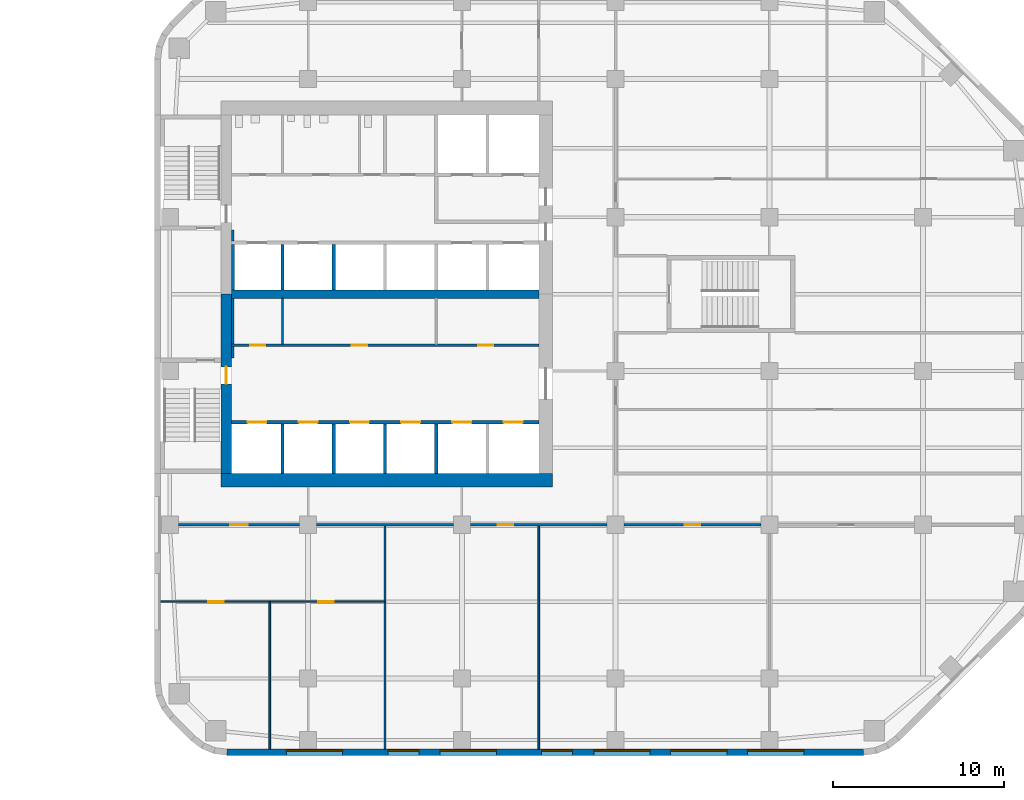
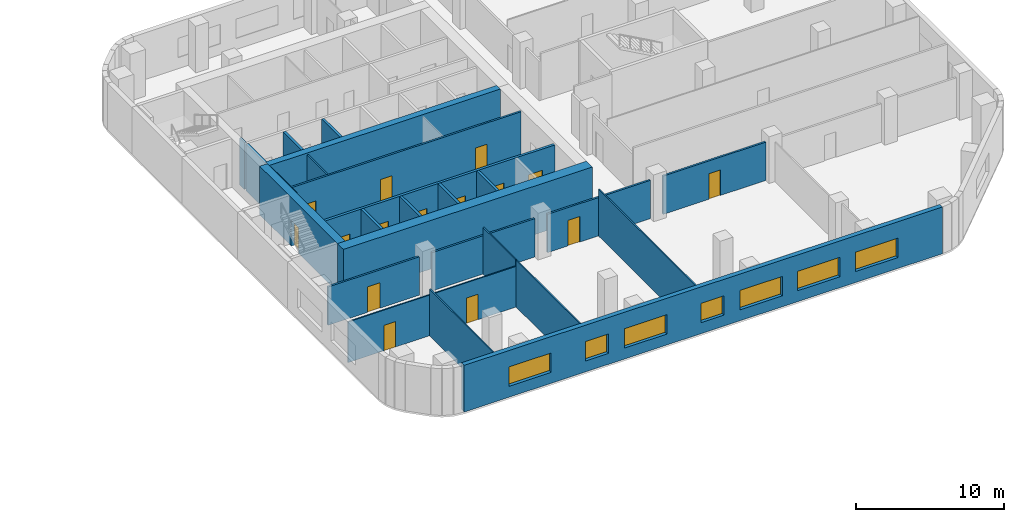
# One storey, part 8 of 14: 26 walls, 15 doors, 7 windows, 22 openings.
"""IFC4 building model written with IfcOpenShell, lengths in metres."""

from ifc_helpers import new_model, si_unit, direction, frame, frame_2d, origin, place, context, subcontext, project, spatial, rectangle, extrude, material, layer, layer_set, type_object, element, fill, save


model = new_model("IFC4")

# Units and contexts
model_context = context("Model", 3, precision=1e-05, world=origin(), true_north=direction((0.0, 1.0)))
body_context = subcontext(model_context, "Body", "Model", "MODEL_VIEW")
ifc_project = project(units=[si_unit("LENGTHUNIT", "METRE"), si_unit("AREAUNIT", "SQUARE_METRE"), si_unit("VOLUMEUNIT", "CUBIC_METRE"), si_unit("PLANEANGLEUNIT", "RADIAN"), si_unit("MASSUNIT", "GRAM", prefix="KILO")], contexts=[model_context])

# Site, building, storey
site_placement = place(None, origin())
site = spatial("IfcSite", under=ifc_project, at=site_placement, CompositionType="ELEMENT")
building_placement = place(site_placement, origin())
building = spatial("IfcBuilding", under=site, at=building_placement, Name="Cinnabar Reach Civic Tower", CompositionType="ELEMENT")
storey_placement = place(building_placement, frame((0.0, 0.0, 124.0)))
storey = spatial("IfcBuildingStorey", under=building, at=storey_placement, Name="L29", CompositionType="ELEMENT", Elevation=124.0)

# Wall, openings, windows
ifc_material_1 = material(Name="Facing brick with insulated backing", Category="masonry")
ifc_layer_1 = layer(ifc_material_1, 0.36)
ifc_layer_set_1 = layer_set([ifc_layer_1], Name="Brick pier and spandrel wall")
wall_type_1 = type_object("IfcWallType", Name="Brick pier and spandrel wall", PredefinedType="STANDARD", material=ifc_layer_set_1)
wall_1_placement = place(storey_placement, frame((4.2426, 4.68, 0.0), z_axis=(0.0, 0.0, 1.0), x_axis=(1.0, 0.0, 0.0)))
wall_1 = element("IfcWall", 1, at=wall_1_placement, inside=storey, type_object=wall_type_1, Name="Brick facade wall", PredefinedType="STANDARD", context=body_context, shape_type="SweptSolid", body=[
    extrude(rectangle(XDim=37.2648, YDim=0.36, at=frame_2d((18.6324, 0.0))), origin(), (0.0, 0.0, 1.0), 3.85),
])
opening_1_placement = place(wall_1_placement, frame((3.4824, 0.0, 0.9)))
opening_1 = element("IfcOpeningElement", 2, at=opening_1_placement, cuts=wall_1, Name="Opening W1611", PredefinedType="OPENING", context=body_context, shape_type="SweptSolid", body=[
    extrude(rectangle(XDim=3.3, YDim=1.6, at=frame_2d((1.65, 0.8))), frame((0.0, 0.19, 0.0), z_axis=(0.0, -1.0, 0.0), x_axis=(1.0, 0.0, 0.0)), (0.0, 0.0, 1.0), 0.38),
])
opening_2_placement = place(wall_1_placement, frame((9.4324, 0.0, 0.9)))
opening_2 = element("IfcOpeningElement", 3, at=opening_2_placement, cuts=wall_1, Name="Opening W1612", PredefinedType="OPENING", context=body_context, shape_type="SweptSolid", body=[
    extrude(rectangle(XDim=1.8, YDim=1.6, at=frame_2d((0.9, 0.8))), frame((0.0, 0.19, 0.0), z_axis=(0.0, -1.0, 0.0), x_axis=(1.0, 0.0, 0.0)), (0.0, 0.0, 1.0), 0.38),
])
opening_3_placement = place(wall_1_placement, frame((12.4824, 0.0, 0.9)))
opening_3 = element("IfcOpeningElement", 4, at=opening_3_placement, cuts=wall_1, Name="Opening W1613", PredefinedType="OPENING", context=body_context, shape_type="SweptSolid", body=[
    extrude(rectangle(XDim=3.3, YDim=1.6, at=frame_2d((1.65, 0.8))), frame((0.0, 0.19, 0.0), z_axis=(0.0, -1.0, 0.0), x_axis=(1.0, 0.0, 0.0)), (0.0, 0.0, 1.0), 0.38),
])
opening_4_placement = place(wall_1_placement, frame((18.4324, 0.0, 0.9)))
opening_4 = element("IfcOpeningElement", 5, at=opening_4_placement, cuts=wall_1, Name="Opening W1614", PredefinedType="OPENING", context=body_context, shape_type="SweptSolid", body=[
    extrude(rectangle(XDim=1.8, YDim=1.6, at=frame_2d((0.9, 0.8))), frame((0.0, 0.19, 0.0), z_axis=(0.0, -1.0, 0.0), x_axis=(1.0, 0.0, 0.0)), (0.0, 0.0, 1.0), 0.38),
])
opening_5_placement = place(wall_1_placement, frame((21.4824, 0.0, 0.9)))
opening_5 = element("IfcOpeningElement", 6, at=opening_5_placement, cuts=wall_1, Name="Opening W1615", PredefinedType="OPENING", context=body_context, shape_type="SweptSolid", body=[
    extrude(rectangle(XDim=3.3, YDim=1.6, at=frame_2d((1.65, 0.8))), frame((0.0, 0.19, 0.0), z_axis=(0.0, -1.0, 0.0), x_axis=(1.0, 0.0, 0.0)), (0.0, 0.0, 1.0), 0.38),
])
opening_6_placement = place(wall_1_placement, frame((25.9824, 0.0, 0.9)))
opening_6 = element("IfcOpeningElement", 7, at=opening_6_placement, cuts=wall_1, Name="Opening W1616", PredefinedType="OPENING", context=body_context, shape_type="SweptSolid", body=[
    extrude(rectangle(XDim=3.3, YDim=1.6, at=frame_2d((1.65, 0.8))), frame((0.0, 0.19, 0.0), z_axis=(0.0, -1.0, 0.0), x_axis=(1.0, 0.0, 0.0)), (0.0, 0.0, 1.0), 0.38),
])
opening_7_placement = place(wall_1_placement, frame((30.4824, 0.0, 0.9)))
opening_7 = element("IfcOpeningElement", 8, at=opening_7_placement, cuts=wall_1, Name="Opening W1617", PredefinedType="OPENING", context=body_context, shape_type="SweptSolid", body=[
    extrude(rectangle(XDim=3.3, YDim=1.6, at=frame_2d((1.65, 0.8))), frame((0.0, 0.19, 0.0), z_axis=(0.0, -1.0, 0.0), x_axis=(1.0, 0.0, 0.0)), (0.0, 0.0, 1.0), 0.38),
])
ifc_material_2 = material(Name="Clear double glazing in aluminium frame", Category="aluminium")
window_type_1 = type_object("IfcWindowType", Name="Deep-set window A", PartitioningType="SINGLE_PANEL", PredefinedType="WINDOW", material=ifc_material_2)
window_1_placement = place(opening_1_placement, origin())
window_1 = element("IfcWindow", 9, at=window_1_placement, inside=storey, type_object=window_type_1, Name="Window south face", OverallHeight=1.6, OverallWidth=3.3, PartitioningType="SINGLE_PANEL", PredefinedType="WINDOW", context=body_context, shape_type="SweptSolid", body=[
    extrude(rectangle(XDim=3.3, YDim=1.6, at=frame_2d((1.65, 0.8))), frame((0.0, 0.13, 0.0), z_axis=(0.0, -1.0, 0.0), x_axis=(1.0, 0.0, 0.0)), (0.0, 0.0, 1.0), 0.06),
])
fill(opening_1, window_1)
window_2_placement = place(opening_3_placement, origin())
window_2 = element("IfcWindow", 10, at=window_2_placement, inside=storey, type_object=window_type_1, Name="Window south face", OverallHeight=1.6, OverallWidth=3.3, PartitioningType="SINGLE_PANEL", PredefinedType="WINDOW", context=body_context, shape_type="SweptSolid", body=[
    extrude(rectangle(XDim=3.3, YDim=1.6, at=frame_2d((1.65, 0.8))), frame((0.0, 0.13, 0.0), z_axis=(0.0, -1.0, 0.0), x_axis=(1.0, 0.0, 0.0)), (0.0, 0.0, 1.0), 0.06),
])
fill(opening_3, window_2)
window_3_placement = place(opening_5_placement, origin())
window_3 = element("IfcWindow", 11, at=window_3_placement, inside=storey, type_object=window_type_1, Name="Window south face", OverallHeight=1.6, OverallWidth=3.3, PartitioningType="SINGLE_PANEL", PredefinedType="WINDOW", context=body_context, shape_type="SweptSolid", body=[
    extrude(rectangle(XDim=3.3, YDim=1.6, at=frame_2d((1.65, 0.8))), frame((0.0, 0.13, 0.0), z_axis=(0.0, -1.0, 0.0), x_axis=(1.0, 0.0, 0.0)), (0.0, 0.0, 1.0), 0.06),
])
fill(opening_5, window_3)
window_4_placement = place(opening_6_placement, origin())
window_4 = element("IfcWindow", 12, at=window_4_placement, inside=storey, type_object=window_type_1, Name="Window south face", OverallHeight=1.6, OverallWidth=3.3, PartitioningType="SINGLE_PANEL", PredefinedType="WINDOW", context=body_context, shape_type="SweptSolid", body=[
    extrude(rectangle(XDim=3.3, YDim=1.6, at=frame_2d((1.65, 0.8))), frame((0.0, 0.13, 0.0), z_axis=(0.0, -1.0, 0.0), x_axis=(1.0, 0.0, 0.0)), (0.0, 0.0, 1.0), 0.06),
])
fill(opening_6, window_4)
window_5_placement = place(opening_7_placement, origin())
window_5 = element("IfcWindow", 13, at=window_5_placement, inside=storey, type_object=window_type_1, Name="Window south face", OverallHeight=1.6, OverallWidth=3.3, PartitioningType="SINGLE_PANEL", PredefinedType="WINDOW", context=body_context, shape_type="SweptSolid", body=[
    extrude(rectangle(XDim=3.3, YDim=1.6, at=frame_2d((1.65, 0.8))), frame((0.0, 0.13, 0.0), z_axis=(0.0, -1.0, 0.0), x_axis=(1.0, 0.0, 0.0)), (0.0, 0.0, 1.0), 0.06),
])
fill(opening_7, window_5)
window_type_2 = type_object("IfcWindowType", Name="Deep-set window D", PartitioningType="SINGLE_PANEL", PredefinedType="WINDOW", material=ifc_material_2)
window_6_placement = place(opening_2_placement, origin())
window_6 = element("IfcWindow", 14, at=window_6_placement, inside=storey, type_object=window_type_2, Name="Window south face", OverallHeight=1.6, OverallWidth=1.8, PartitioningType="SINGLE_PANEL", PredefinedType="WINDOW", context=body_context, shape_type="SweptSolid", body=[
    extrude(rectangle(XDim=1.8, YDim=1.6, at=frame_2d((0.9, 0.8))), frame((0.0, 0.13, 0.0), z_axis=(0.0, -1.0, 0.0), x_axis=(1.0, 0.0, 0.0)), (0.0, 0.0, 1.0), 0.06),
])
fill(opening_2, window_6)
window_7_placement = place(opening_4_placement, origin())
window_7 = element("IfcWindow", 15, at=window_7_placement, inside=storey, type_object=window_type_2, Name="Window south face", OverallHeight=1.6, OverallWidth=1.8, PartitioningType="SINGLE_PANEL", PredefinedType="WINDOW", context=body_context, shape_type="SweptSolid", body=[
    extrude(rectangle(XDim=1.8, YDim=1.6, at=frame_2d((0.9, 0.8))), frame((0.0, 0.13, 0.0), z_axis=(0.0, -1.0, 0.0), x_axis=(1.0, 0.0, 0.0)), (0.0, 0.0, 1.0), 0.06),
])
fill(opening_4, window_7)

# Wall
ifc_material_3 = material(Name="Concrete C60", Category="concrete")
ifc_layer_2 = layer(ifc_material_3, 0.5)
ifc_layer_set_2 = layer_set([ifc_layer_2], Name="Core wall 500 EI 180")
wall_type_2 = type_object("IfcWallType", Name="Core wall 500 EI 180", PredefinedType="SOLIDWALL", material=ifc_layer_set_2)
wall_2_placement = place(storey_placement, frame((4.5, 31.5, 0.0), z_axis=(0.0, 0.0, 1.0), x_axis=(1.0, 0.0, 0.0)))
element("IfcWall", 16, at=wall_2_placement, inside=storey, type_object=wall_type_2, Name="Core spine wall T1 L29", PredefinedType="SOLIDWALL", context=body_context, shape_type="SweptSolid", body=[
    extrude(rectangle(XDim=18.0, YDim=0.5, at=frame_2d((9.0, 0.0))), origin(), (0.0, 0.0, 1.0), 4.0),
])

# Wall, opening, door
ifc_material_4 = material(Name="Concrete C70", Category="concrete")
ifc_layer_3 = layer(ifc_material_4, 0.6)
ifc_layer_set_3 = layer_set([ifc_layer_3], Name="Core wall 600 EI 180")
wall_type_3 = type_object("IfcWallType", Name="Core wall 600 EI 180", PredefinedType="SOLIDWALL", material=ifc_layer_set_3)
wall_3_placement = place(storey_placement, frame((4.2, 31.5, 0.0), z_axis=(0.0, 0.0, 1.0), x_axis=(0.0, -1.0, 0.0)))
wall_3 = element("IfcWall", 17, at=wall_3_placement, inside=storey, type_object=wall_type_3, Name="Core wall T1 L29 W2", PredefinedType="SOLIDWALL", context=body_context, shape_type="SweptSolid", body=[
    extrude(rectangle(XDim=10.5, YDim=0.6, at=frame_2d((5.25, 0.0))), origin(), (0.0, 0.0, 1.0), 4.0),
])
opening_8_placement = place(wall_3_placement, frame((4.25, 0.0, 0.0)))
opening_8 = element("IfcOpeningElement", 18, at=opening_8_placement, cuts=wall_3, Name="Opening D4172", PredefinedType="OPENING", context=body_context, shape_type="SweptSolid", body=[
    extrude(rectangle(XDim=1.0, YDim=2.1, at=frame_2d((0.5, 1.05))), frame((0.0, 0.31, 0.0), z_axis=(0.0, -1.0, 0.0), x_axis=(1.0, 0.0, 0.0)), (0.0, 0.0, 1.0), 0.62),
])
ifc_material_5 = material(Name="Timber door leaf in steel frame", Category="steel")
door_type_1 = type_object("IfcDoorType", Name="Stair door 1000 x 2100 T1", OperationType="SINGLE_SWING_LEFT", PredefinedType="DOOR", material=ifc_material_5)
door_1_placement = place(opening_8_placement, frame((1.0, 0.0, 0.0), z_axis=(0.0, 0.0, 1.0), x_axis=(-1.0, 0.0, 0.0)))
door_1 = element("IfcDoor", 19, at=door_1_placement, inside=storey, type_object=door_type_1, Name="Door D4172", OperationType="SINGLE_SWING_RIGHT", OverallHeight=2.1, OverallWidth=1.0, PredefinedType="DOOR", context=body_context, shape_type="SweptSolid", body=[
    extrude(rectangle(XDim=1.0, YDim=2.1, at=frame_2d((0.5, 1.05))), frame((0.0, 0.025, 0.0), z_axis=(0.0, -1.0, 0.0), x_axis=(1.0, 0.0, 0.0)), (0.0, 0.0, 1.0), 0.05),
])
fill(opening_8, door_1)

# Wall
ifc_layer_4 = layer(ifc_material_4, 0.8)
ifc_layer_set_4 = layer_set([ifc_layer_4], Name="Core wall 800 EI 180")
wall_type_4 = type_object("IfcWallType", Name="Core wall 800 EI 180", PredefinedType="SOLIDWALL", material=ifc_layer_set_4)
wall_4_placement = place(storey_placement, frame((3.9, 20.6, 0.0), z_axis=(0.0, 0.0, 1.0), x_axis=(1.0, 0.0, 0.0)))
element("IfcWall", 20, at=wall_4_placement, inside=storey, type_object=wall_type_4, Name="Core wall T1 L29 S", PredefinedType="SOLIDWALL", context=body_context, shape_type="SweptSolid", body=[
    extrude(rectangle(XDim=19.4, YDim=0.8, at=frame_2d((9.7, 0.0))), origin(), (0.0, 0.0, 1.0), 4.0),
])

# Wall, opening, door
ifc_material_6 = material(Name="Gypsum board on steel studs, double layer", Category="steel")
ifc_layer_5 = layer(ifc_material_6, 0.15)
ifc_layer_set_5 = layer_set([ifc_layer_5], Name="Corridor wall 150 T1")
wall_type_5 = type_object("IfcWallType", Name="Corridor wall 150 T1", PredefinedType="PARTITIONING", material=ifc_layer_set_5)
wall_5_placement = place(storey_placement, frame((27.5, 18.0, 0.0), z_axis=(0.0, 0.0, 1.0), x_axis=(1.0, 0.0, 0.0)))
wall_5 = element("IfcWall", 21, at=wall_5_placement, inside=storey, type_object=wall_type_5, Name="Corridor wall 21", PredefinedType="PARTITIONING", context=body_context, shape_type="SweptSolid", body=[
    extrude(rectangle(XDim=8.0, YDim=0.15, at=frame_2d((4.0, 0.0))), origin(), (0.0, 0.0, 1.0), 3.158),
])
opening_9_placement = place(wall_5_placement, frame((3.55, 0.0, 0.0)))
opening_9 = element("IfcOpeningElement", 22, at=opening_9_placement, cuts=wall_5, Name="Opening D4208", PredefinedType="OPENING", context=body_context, shape_type="SweptSolid", body=[
    extrude(rectangle(XDim=0.9, YDim=2.1, at=frame_2d((0.45, 1.05))), frame((0.0, 0.085, 0.0), z_axis=(0.0, -1.0, 0.0), x_axis=(1.0, 0.0, 0.0)), (0.0, 0.0, 1.0), 0.17),
])
door_type_2 = type_object("IfcDoorType", Name="Single swing door 900 x 2100 corridor T1", OperationType="SINGLE_SWING_LEFT", PredefinedType="DOOR", material=ifc_material_5)
door_2_placement = place(opening_9_placement, frame((0.9, 0.0, 0.0), z_axis=(0.0, 0.0, 1.0), x_axis=(-1.0, 0.0, 0.0)))
door_2 = element("IfcDoor", 23, at=door_2_placement, inside=storey, type_object=door_type_2, Name="Door D4208", OperationType="SINGLE_SWING_RIGHT", OverallHeight=2.1, OverallWidth=0.9, PredefinedType="DOOR", context=body_context, shape_type="SweptSolid", body=[
    extrude(rectangle(XDim=0.9, YDim=2.1, at=frame_2d((0.45, 1.05))), frame((0.0, 0.025, 0.0), z_axis=(0.0, -1.0, 0.0), x_axis=(1.0, 0.0, 0.0)), (0.0, 0.0, 1.0), 0.05),
])
fill(opening_9, door_2)

wall_6_placement = place(storey_placement, frame((18.5, 18.0, 0.0), z_axis=(0.0, 0.0, 1.0), x_axis=(1.0, 0.0, 0.0)))
wall_6 = element("IfcWall", 24, at=wall_6_placement, inside=storey, type_object=wall_type_5, Name="Corridor wall 22", PredefinedType="PARTITIONING", context=body_context, shape_type="SweptSolid", body=[
    extrude(rectangle(XDim=8.0, YDim=0.15, at=frame_2d((4.0, 0.0))), origin(), (0.0, 0.0, 1.0), 3.158),
])
opening_10_placement = place(wall_6_placement, frame((1.6, 0.0, 0.0)))
opening_10 = element("IfcOpeningElement", 25, at=opening_10_placement, cuts=wall_6, Name="Opening D4207", PredefinedType="OPENING", context=body_context, shape_type="SweptSolid", body=[
    extrude(rectangle(XDim=0.9, YDim=2.1, at=frame_2d((0.45, 1.05))), frame((0.0, 0.085, 0.0), z_axis=(0.0, -1.0, 0.0), x_axis=(1.0, 0.0, 0.0)), (0.0, 0.0, 1.0), 0.17),
])
door_3_placement = place(opening_10_placement, frame((0.9, 0.0, 0.0), z_axis=(0.0, 0.0, 1.0), x_axis=(-1.0, 0.0, 0.0)))
door_3 = element("IfcDoor", 26, at=door_3_placement, inside=storey, type_object=door_type_2, Name="Door D4207", OperationType="SINGLE_SWING_RIGHT", OverallHeight=2.1, OverallWidth=0.9, PredefinedType="DOOR", context=body_context, shape_type="SweptSolid", body=[
    extrude(rectangle(XDim=0.9, YDim=2.1, at=frame_2d((0.45, 1.05))), frame((0.0, 0.025, 0.0), z_axis=(0.0, -1.0, 0.0), x_axis=(1.0, 0.0, 0.0)), (0.0, 0.0, 1.0), 0.05),
])
fill(opening_10, door_3)

# Wall
wall_7_placement = place(storey_placement, frame((9.5, 18.0, 0.0), z_axis=(0.0, 0.0, 1.0), x_axis=(1.0, 0.0, 0.0)))
element("IfcWall", 27, at=wall_7_placement, inside=storey, type_object=wall_type_5, Name="Corridor wall 23", PredefinedType="PARTITIONING", context=body_context, shape_type="SweptSolid", body=[
    extrude(rectangle(XDim=8.0, YDim=0.15, at=frame_2d((4.0, 0.0))), origin(), (0.0, 0.0, 1.0), 3.158),
])

# Wall, opening, door
wall_8_placement = place(storey_placement, frame((1.4, 18.0, 0.0), z_axis=(0.0, 0.0, 1.0), x_axis=(1.0, 0.0, 0.0)))
wall_8 = element("IfcWall", 28, at=wall_8_placement, inside=storey, type_object=wall_type_5, Name="Corridor wall 24", PredefinedType="PARTITIONING", context=body_context, shape_type="SweptSolid", body=[
    extrude(rectangle(XDim=7.1, YDim=0.15, at=frame_2d((3.55, 0.0))), origin(), (0.0, 0.0, 1.0), 3.158),
])
opening_11_placement = place(wall_8_placement, frame((3.05, 0.0, 0.0)))
opening_11 = element("IfcOpeningElement", 29, at=opening_11_placement, cuts=wall_8, Name="Opening D4204", PredefinedType="OPENING", context=body_context, shape_type="SweptSolid", body=[
    extrude(rectangle(XDim=1.0, YDim=2.1, at=frame_2d((0.5, 1.05))), frame((0.0, 0.085, 0.0), z_axis=(0.0, -1.0, 0.0), x_axis=(1.0, 0.0, 0.0)), (0.0, 0.0, 1.0), 0.17),
])
door_type_3 = type_object("IfcDoorType", Name="Tenancy entrance door 1000 x 2100 T1", OperationType="SINGLE_SWING_LEFT", PredefinedType="DOOR", material=ifc_material_5)
door_4_placement = place(opening_11_placement, frame((1.0, 0.0, 0.0), z_axis=(0.0, 0.0, 1.0), x_axis=(-1.0, 0.0, 0.0)))
door_4 = element("IfcDoor", 30, at=door_4_placement, inside=storey, type_object=door_type_3, Name="Door D4204", OperationType="SINGLE_SWING_RIGHT", OverallHeight=2.1, OverallWidth=1.0, PredefinedType="DOOR", context=body_context, shape_type="SweptSolid", body=[
    extrude(rectangle(XDim=1.0, YDim=2.1, at=frame_2d((0.5, 1.05))), frame((0.0, 0.025, 0.0), z_axis=(0.0, -1.0, 0.0), x_axis=(1.0, 0.0, 0.0)), (0.0, 0.0, 1.0), 0.05),
])
fill(opening_11, door_4)

# Wall, openings, doors
wall_9_placement = place(storey_placement, frame((4.5, 28.5, 0.0), z_axis=(0.0, 0.0, 1.0), x_axis=(1.0, 0.0, 0.0)))
wall_9 = element("IfcWall", 31, at=wall_9_placement, inside=storey, type_object=wall_type_5, Name="Corridor wall 26", PredefinedType="PARTITIONING", context=body_context, shape_type="SweptSolid", body=[
    extrude(rectangle(XDim=18.0, YDim=0.15, at=frame_2d((9.0, 0.0))), origin(), (0.0, 0.0, 1.0), 3.85),
])
opening_12_placement = place(wall_9_placement, frame((1.1, 0.0, 0.0)))
opening_12 = element("IfcOpeningElement", 32, at=opening_12_placement, cuts=wall_9, Name="Opening D4192", PredefinedType="OPENING", context=body_context, shape_type="SweptSolid", body=[
    extrude(rectangle(XDim=0.9, YDim=2.1, at=frame_2d((0.45, 1.05))), frame((0.0, 0.085, 0.0), z_axis=(0.0, -1.0, 0.0), x_axis=(1.0, 0.0, 0.0)), (0.0, 0.0, 1.0), 0.17),
])
opening_13_placement = place(wall_9_placement, frame((7.05, 0.0, 0.0)))
opening_13 = element("IfcOpeningElement", 33, at=opening_13_placement, cuts=wall_9, Name="Opening D4193", PredefinedType="OPENING", context=body_context, shape_type="SweptSolid", body=[
    extrude(rectangle(XDim=0.9, YDim=2.1, at=frame_2d((0.45, 1.05))), frame((0.0, 0.085, 0.0), z_axis=(0.0, -1.0, 0.0), x_axis=(1.0, 0.0, 0.0)), (0.0, 0.0, 1.0), 0.17),
])
opening_14_placement = place(wall_9_placement, frame((14.45, 0.0, 0.0)))
opening_14 = element("IfcOpeningElement", 34, at=opening_14_placement, cuts=wall_9, Name="Opening D4194", PredefinedType="OPENING", context=body_context, shape_type="SweptSolid", body=[
    extrude(rectangle(XDim=0.9, YDim=2.1, at=frame_2d((0.45, 1.05))), frame((0.0, 0.085, 0.0), z_axis=(0.0, -1.0, 0.0), x_axis=(1.0, 0.0, 0.0)), (0.0, 0.0, 1.0), 0.17),
])
door_5_placement = place(opening_12_placement, origin())
door_5 = element("IfcDoor", 35, at=door_5_placement, inside=storey, type_object=door_type_2, Name="Door D4192", OperationType="SINGLE_SWING_RIGHT", OverallHeight=2.1, OverallWidth=0.9, PredefinedType="DOOR", context=body_context, shape_type="SweptSolid", body=[
    extrude(rectangle(XDim=0.9, YDim=2.1, at=frame_2d((0.45, 1.05))), frame((0.0, 0.025, 0.0), z_axis=(0.0, -1.0, 0.0), x_axis=(1.0, 0.0, 0.0)), (0.0, 0.0, 1.0), 0.05),
])
fill(opening_12, door_5)
door_6_placement = place(opening_13_placement, origin())
door_6 = element("IfcDoor", 36, at=door_6_placement, inside=storey, type_object=door_type_2, Name="Door D4193", OperationType="SINGLE_SWING_RIGHT", OverallHeight=2.1, OverallWidth=0.9, PredefinedType="DOOR", context=body_context, shape_type="SweptSolid", body=[
    extrude(rectangle(XDim=0.9, YDim=2.1, at=frame_2d((0.45, 1.05))), frame((0.0, 0.025, 0.0), z_axis=(0.0, -1.0, 0.0), x_axis=(1.0, 0.0, 0.0)), (0.0, 0.0, 1.0), 0.05),
])
fill(opening_13, door_6)
door_7_placement = place(opening_14_placement, origin())
door_7 = element("IfcDoor", 37, at=door_7_placement, inside=storey, type_object=door_type_2, Name="Door D4194", OperationType="SINGLE_SWING_LEFT", OverallHeight=2.1, OverallWidth=0.9, PredefinedType="DOOR", context=body_context, shape_type="SweptSolid", body=[
    extrude(rectangle(XDim=0.9, YDim=2.1, at=frame_2d((0.45, 1.05))), frame((0.0, 0.025, 0.0), z_axis=(0.0, -1.0, 0.0), x_axis=(1.0, 0.0, 0.0)), (0.0, 0.0, 1.0), 0.05),
])
fill(opening_14, door_7)

# Walls
wall_10_placement = place(storey_placement, frame((4.575, 27.75, 0.0), z_axis=(0.0, 0.0, 1.0), x_axis=(0.0, 1.0, 0.0)))
element("IfcWall", 38, at=wall_10_placement, inside=storey, type_object=wall_type_5, Name="Corridor wall 34", PredefinedType="PARTITIONING", context=body_context, shape_type="SweptSolid", body=[
    extrude(rectangle(XDim=0.675, YDim=0.15, at=frame_2d((0.3375, 0.0))), origin(), (0.0, 0.0, 1.0), 3.85),
])
wall_11_placement = place(storey_placement, frame((4.575, 28.575, 0.0), z_axis=(0.0, 0.0, 1.0), x_axis=(0.0, 1.0, 0.0)))
element("IfcWall", 39, at=wall_11_placement, inside=storey, type_object=wall_type_5, Name="Corridor wall 35", PredefinedType="PARTITIONING", context=body_context, shape_type="SweptSolid", body=[
    extrude(rectangle(XDim=2.675, YDim=0.15, at=frame_2d((1.3375, 0.0))), origin(), (0.0, 0.0, 1.0), 3.85),
])
wall_12_placement = place(storey_placement, frame((4.575, 34.6, 0.0), z_axis=(0.0, 0.0, 1.0), x_axis=(0.0, 1.0, 0.0)))
element("IfcWall", 40, at=wall_12_placement, inside=storey, type_object=wall_type_5, Name="Corridor wall 38", PredefinedType="PARTITIONING", context=body_context, shape_type="SweptSolid", body=[
    extrude(rectangle(XDim=0.65, YDim=0.15, at=frame_2d((0.325, 0.0))), origin(), (0.0, 0.0, 1.0), 3.85),
])

# Wall, openings, doors
ifc_material_7 = material(Name="Blockwork", Category="masonry")
ifc_layer_6 = layer(ifc_material_7, 0.2)
ifc_layer_set_6 = layer_set([ifc_layer_6], Name="Lift shaft wall 200 T1")
wall_type_6 = type_object("IfcWallType", Name="Lift shaft wall 200 T1", PredefinedType="PARTITIONING", material=ifc_layer_set_6)
wall_13_placement = place(storey_placement, frame((4.5, 24.0, 0.0), z_axis=(0.0, 0.0, 1.0), x_axis=(1.0, 0.0, 0.0)))
wall_13 = element("IfcWall", 41, at=wall_13_placement, inside=storey, type_object=wall_type_6, Name="Lift shaft wall 4", PredefinedType="PARTITIONING", context=body_context, shape_type="SweptSolid", body=[
    extrude(rectangle(XDim=18.0, YDim=0.2, at=frame_2d((9.0, 0.0))), origin(), (0.0, 0.0, 1.0), 3.85),
])
opening_15_placement = place(wall_13_placement, frame((0.95, 0.0, 0.0)))
opening_15 = element("IfcOpeningElement", 42, at=opening_15_placement, cuts=wall_13, Name="Opening D4176", PredefinedType="OPENING", context=body_context, shape_type="SweptSolid", body=[
    extrude(rectangle(XDim=1.1, YDim=2.1, at=frame_2d((0.55, 1.05))), frame((0.0, 0.11, 0.0), z_axis=(0.0, -1.0, 0.0), x_axis=(1.0, 0.0, 0.0)), (0.0, 0.0, 1.0), 0.22),
])
opening_16_placement = place(wall_13_placement, frame((3.95, 0.0, 0.0)))
opening_16 = element("IfcOpeningElement", 43, at=opening_16_placement, cuts=wall_13, Name="Opening D4177", PredefinedType="OPENING", context=body_context, shape_type="SweptSolid", body=[
    extrude(rectangle(XDim=1.1, YDim=2.1, at=frame_2d((0.55, 1.05))), frame((0.0, 0.11, 0.0), z_axis=(0.0, -1.0, 0.0), x_axis=(1.0, 0.0, 0.0)), (0.0, 0.0, 1.0), 0.22),
])
opening_17_placement = place(wall_13_placement, frame((6.95, 0.0, 0.0)))
opening_17 = element("IfcOpeningElement", 44, at=opening_17_placement, cuts=wall_13, Name="Opening D4178", PredefinedType="OPENING", context=body_context, shape_type="SweptSolid", body=[
    extrude(rectangle(XDim=1.1, YDim=2.1, at=frame_2d((0.55, 1.05))), frame((0.0, 0.11, 0.0), z_axis=(0.0, -1.0, 0.0), x_axis=(1.0, 0.0, 0.0)), (0.0, 0.0, 1.0), 0.22),
])
opening_18_placement = place(wall_13_placement, frame((9.95, 0.0, 0.0)))
opening_18 = element("IfcOpeningElement", 45, at=opening_18_placement, cuts=wall_13, Name="Opening D4179", PredefinedType="OPENING", context=body_context, shape_type="SweptSolid", body=[
    extrude(rectangle(XDim=1.1, YDim=2.1, at=frame_2d((0.55, 1.05))), frame((0.0, 0.11, 0.0), z_axis=(0.0, -1.0, 0.0), x_axis=(1.0, 0.0, 0.0)), (0.0, 0.0, 1.0), 0.22),
])
opening_19_placement = place(wall_13_placement, frame((12.95, 0.0, 0.0)))
opening_19 = element("IfcOpeningElement", 46, at=opening_19_placement, cuts=wall_13, Name="Opening D4180", PredefinedType="OPENING", context=body_context, shape_type="SweptSolid", body=[
    extrude(rectangle(XDim=1.1, YDim=2.1, at=frame_2d((0.55, 1.05))), frame((0.0, 0.11, 0.0), z_axis=(0.0, -1.0, 0.0), x_axis=(1.0, 0.0, 0.0)), (0.0, 0.0, 1.0), 0.22),
])
opening_20_placement = place(wall_13_placement, frame((15.95, 0.0, 0.0)))
opening_20 = element("IfcOpeningElement", 47, at=opening_20_placement, cuts=wall_13, Name="Opening D4181", PredefinedType="OPENING", context=body_context, shape_type="SweptSolid", body=[
    extrude(rectangle(XDim=1.1, YDim=2.1, at=frame_2d((0.55, 1.05))), frame((0.0, 0.11, 0.0), z_axis=(0.0, -1.0, 0.0), x_axis=(1.0, 0.0, 0.0)), (0.0, 0.0, 1.0), 0.22),
])
ifc_material_8 = material(Name="Stainless steel sliding door", Category="steel")
door_type_4 = type_object("IfcDoorType", Name="Lift landing door 1100 x 2100 T1", OperationType="SLIDING_TO_LEFT", PredefinedType="DOOR", material=ifc_material_8)
door_8_placement = place(opening_15_placement, origin())
door_8 = element("IfcDoor", 48, at=door_8_placement, inside=storey, type_object=door_type_4, Name="Lift landing door LR1 L29", OperationType="SLIDING_TO_LEFT", OverallHeight=2.1, OverallWidth=1.1, PredefinedType="DOOR", context=body_context, shape_type="SweptSolid", body=[
    extrude(rectangle(XDim=1.1, YDim=2.1, at=frame_2d((0.55, 1.05))), frame((0.0, 0.025, 0.0), z_axis=(0.0, -1.0, 0.0), x_axis=(1.0, 0.0, 0.0)), (0.0, 0.0, 1.0), 0.05),
])
fill(opening_15, door_8)
door_9_placement = place(opening_16_placement, origin())
door_9 = element("IfcDoor", 49, at=door_9_placement, inside=storey, type_object=door_type_4, Name="Lift landing door LR2 L29", OperationType="SLIDING_TO_LEFT", OverallHeight=2.1, OverallWidth=1.1, PredefinedType="DOOR", context=body_context, shape_type="SweptSolid", body=[
    extrude(rectangle(XDim=1.1, YDim=2.1, at=frame_2d((0.55, 1.05))), frame((0.0, 0.025, 0.0), z_axis=(0.0, -1.0, 0.0), x_axis=(1.0, 0.0, 0.0)), (0.0, 0.0, 1.0), 0.05),
])
fill(opening_16, door_9)
door_10_placement = place(opening_17_placement, origin())
door_10 = element("IfcDoor", 50, at=door_10_placement, inside=storey, type_object=door_type_4, Name="Lift landing door LR3 L29", OperationType="SLIDING_TO_LEFT", OverallHeight=2.1, OverallWidth=1.1, PredefinedType="DOOR", context=body_context, shape_type="SweptSolid", body=[
    extrude(rectangle(XDim=1.1, YDim=2.1, at=frame_2d((0.55, 1.05))), frame((0.0, 0.025, 0.0), z_axis=(0.0, -1.0, 0.0), x_axis=(1.0, 0.0, 0.0)), (0.0, 0.0, 1.0), 0.05),
])
fill(opening_17, door_10)
door_11_placement = place(opening_18_placement, origin())
door_11 = element("IfcDoor", 51, at=door_11_placement, inside=storey, type_object=door_type_4, Name="Lift landing door LR4 L29", OperationType="SLIDING_TO_LEFT", OverallHeight=2.1, OverallWidth=1.1, PredefinedType="DOOR", context=body_context, shape_type="SweptSolid", body=[
    extrude(rectangle(XDim=1.1, YDim=2.1, at=frame_2d((0.55, 1.05))), frame((0.0, 0.025, 0.0), z_axis=(0.0, -1.0, 0.0), x_axis=(1.0, 0.0, 0.0)), (0.0, 0.0, 1.0), 0.05),
])
fill(opening_18, door_11)
door_12_placement = place(opening_19_placement, origin())
door_12 = element("IfcDoor", 52, at=door_12_placement, inside=storey, type_object=door_type_4, Name="Lift landing door LR5 L29", OperationType="SLIDING_TO_LEFT", OverallHeight=2.1, OverallWidth=1.1, PredefinedType="DOOR", context=body_context, shape_type="SweptSolid", body=[
    extrude(rectangle(XDim=1.1, YDim=2.1, at=frame_2d((0.55, 1.05))), frame((0.0, 0.025, 0.0), z_axis=(0.0, -1.0, 0.0), x_axis=(1.0, 0.0, 0.0)), (0.0, 0.0, 1.0), 0.05),
])
fill(opening_19, door_12)
door_13_placement = place(opening_20_placement, origin())
door_13 = element("IfcDoor", 53, at=door_13_placement, inside=storey, type_object=door_type_4, Name="Lift landing door LR6 L29", OperationType="SLIDING_TO_LEFT", OverallHeight=2.1, OverallWidth=1.1, PredefinedType="DOOR", context=body_context, shape_type="SweptSolid", body=[
    extrude(rectangle(XDim=1.1, YDim=2.1, at=frame_2d((0.55, 1.05))), frame((0.0, 0.025, 0.0), z_axis=(0.0, -1.0, 0.0), x_axis=(1.0, 0.0, 0.0)), (0.0, 0.0, 1.0), 0.05),
])
fill(opening_20, door_13)

# Walls
wall_14_placement = place(storey_placement, frame((4.6, 31.75, 0.0), z_axis=(0.0, 0.0, 1.0), x_axis=(0.0, 1.0, 0.0)))
element("IfcWall", 54, at=wall_14_placement, inside=storey, type_object=wall_type_6, Name="Lift shaft wall 8", PredefinedType="PARTITIONING", context=body_context, shape_type="SweptSolid", body=[
    extrude(rectangle(XDim=2.65, YDim=0.2, at=frame_2d((1.325, 0.0))), origin(), (0.0, 0.0, 1.0), 3.85),
])
wall_15_placement = place(storey_placement, frame((7.5, 21.0, 0.0), z_axis=(0.0, 0.0, 1.0), x_axis=(0.0, 1.0, 0.0)))
element("IfcWall", 55, at=wall_15_placement, inside=storey, type_object=wall_type_6, Name="Lift shaft wall 9", PredefinedType="PARTITIONING", context=body_context, shape_type="SweptSolid", body=[
    extrude(rectangle(XDim=2.9, YDim=0.2, at=frame_2d((1.45, 0.0))), origin(), (0.0, 0.0, 1.0), 3.85),
])
wall_16_placement = place(storey_placement, frame((7.5, 31.75, 0.0), z_axis=(0.0, 0.0, 1.0), x_axis=(0.0, 1.0, 0.0)))
element("IfcWall", 56, at=wall_16_placement, inside=storey, type_object=wall_type_6, Name="Lift shaft wall 10", PredefinedType="PARTITIONING", context=body_context, shape_type="SweptSolid", body=[
    extrude(rectangle(XDim=2.65, YDim=0.2, at=frame_2d((1.325, 0.0))), origin(), (0.0, 0.0, 1.0), 3.85),
])
wall_17_placement = place(storey_placement, frame((10.5, 21.0, 0.0), z_axis=(0.0, 0.0, 1.0), x_axis=(0.0, 1.0, 0.0)))
element("IfcWall", 57, at=wall_17_placement, inside=storey, type_object=wall_type_6, Name="Lift shaft wall 11", PredefinedType="PARTITIONING", context=body_context, shape_type="SweptSolid", body=[
    extrude(rectangle(XDim=2.9, YDim=0.2, at=frame_2d((1.45, 0.0))), origin(), (0.0, 0.0, 1.0), 3.85),
])
wall_18_placement = place(storey_placement, frame((10.5, 31.75, 0.0), z_axis=(0.0, 0.0, 1.0), x_axis=(0.0, 1.0, 0.0)))
element("IfcWall", 58, at=wall_18_placement, inside=storey, type_object=wall_type_6, Name="Lift shaft wall 12", PredefinedType="PARTITIONING", context=body_context, shape_type="SweptSolid", body=[
    extrude(rectangle(XDim=2.65, YDim=0.2, at=frame_2d((1.325, 0.0))), origin(), (0.0, 0.0, 1.0), 3.85),
])
for number, where, z_axis, x_axis, name in (
    (59, (13.5, 21.0, 0.0), (0.0, 0.0, 1.0), (0.0, 1.0, 0.0), "Lift shaft wall 13"),
    (60, (16.5, 21.0, 0.0), (0.0, 0.0, 1.0), (0.0, 1.0, 0.0), "Lift shaft wall 15"),
):
    element("IfcWall", number, at=place(storey_placement, frame(where, z_axis=z_axis, x_axis=x_axis)), inside=storey, type_object=wall_type_6, Name=name, PredefinedType="PARTITIONING", context=body_context, shape_type="SweptSolid", body=[
        extrude(rectangle(XDim=2.9, YDim=0.2, at=frame_2d((1.45, 0.0))), origin(), (0.0, 0.0, 1.0), 3.85),
    ])

# Wall, openings, doors
ifc_material_9 = material(Name="Gypsum board on steel studs", Category="steel")
ifc_layer_7 = layer(ifc_material_9, 0.1)
ifc_layer_set_7 = layer_set([ifc_layer_7], Name="Partition wall 100 T1")
wall_type_7 = type_object("IfcWallType", Name="Partition wall 100 T1", PredefinedType="PARTITIONING", material=ifc_layer_set_7)
wall_19_placement = place(storey_placement, frame((0.36, 13.5, 0.0), z_axis=(0.0, 0.0, 1.0), x_axis=(1.0, 0.0, 0.0)))
wall_19 = element("IfcWall", 61, at=wall_19_placement, inside=storey, type_object=wall_type_7, Name="Partition wall 43", PredefinedType="PARTITIONING", context=body_context, shape_type="SweptSolid", body=[
    extrude(rectangle(XDim=13.19, YDim=0.1, at=frame_2d((6.595, 0.0))), origin(), (0.0, 0.0, 1.0), 3.354),
])
opening_21_placement = place(wall_19_placement, frame((2.8, 0.0, 0.0)))
opening_21 = element("IfcOpeningElement", 62, at=opening_21_placement, cuts=wall_19, Name="Opening D4205", PredefinedType="OPENING", context=body_context, shape_type="SweptSolid", body=[
    extrude(rectangle(XDim=0.9, YDim=2.1, at=frame_2d((0.45, 1.05))), frame((0.0, 0.06, 0.0), z_axis=(0.0, -1.0, 0.0), x_axis=(1.0, 0.0, 0.0)), (0.0, 0.0, 1.0), 0.12),
])
opening_22_placement = place(wall_19_placement, frame((9.24, 0.0, 0.0)))
opening_22 = element("IfcOpeningElement", 63, at=opening_22_placement, cuts=wall_19, Name="Opening D4206", PredefinedType="OPENING", context=body_context, shape_type="SweptSolid", body=[
    extrude(rectangle(XDim=0.9, YDim=2.1, at=frame_2d((0.45, 1.05))), frame((0.0, 0.06, 0.0), z_axis=(0.0, -1.0, 0.0), x_axis=(1.0, 0.0, 0.0)), (0.0, 0.0, 1.0), 0.12),
])
door_type_5 = type_object("IfcDoorType", Name="Single swing door 900 x 2100 T1", OperationType="SINGLE_SWING_LEFT", PredefinedType="DOOR", material=ifc_material_5)
door_14_placement = place(opening_21_placement, frame((0.9, 0.0, 0.0), z_axis=(0.0, 0.0, 1.0), x_axis=(-1.0, 0.0, 0.0)))
door_14 = element("IfcDoor", 64, at=door_14_placement, inside=storey, type_object=door_type_5, Name="Door D4205", OperationType="SINGLE_SWING_LEFT", OverallHeight=2.1, OverallWidth=0.9, PredefinedType="DOOR", context=body_context, shape_type="SweptSolid", body=[
    extrude(rectangle(XDim=0.9, YDim=2.1, at=frame_2d((0.45, 1.05))), frame((0.0, 0.025, 0.0), z_axis=(0.0, -1.0, 0.0), x_axis=(1.0, 0.0, 0.0)), (0.0, 0.0, 1.0), 0.05),
])
fill(opening_21, door_14)
door_15_placement = place(opening_22_placement, frame((0.9, 0.0, 0.0), z_axis=(0.0, 0.0, 1.0), x_axis=(-1.0, 0.0, 0.0)))
door_15 = element("IfcDoor", 65, at=door_15_placement, inside=storey, type_object=door_type_5, Name="Door D4206", OperationType="SINGLE_SWING_LEFT", OverallHeight=2.1, OverallWidth=0.9, PredefinedType="DOOR", context=body_context, shape_type="SweptSolid", body=[
    extrude(rectangle(XDim=0.9, YDim=2.1, at=frame_2d((0.45, 1.05))), frame((0.0, 0.025, 0.0), z_axis=(0.0, -1.0, 0.0), x_axis=(1.0, 0.0, 0.0)), (0.0, 0.0, 1.0), 0.05),
])
fill(opening_22, door_15)

# Walls
wall_20_placement = place(storey_placement, frame((13.5, 13.55, 0.0), z_axis=(0.0, 0.0, 1.0), x_axis=(0.0, 1.0, 0.0)))
element("IfcWall", 66, at=wall_20_placement, inside=storey, type_object=wall_type_7, Name="Partition wall 44", PredefinedType="PARTITIONING", context=body_context, shape_type="SweptSolid", body=[
    extrude(rectangle(XDim=4.375, YDim=0.1, at=frame_2d((2.1875, 0.0))), origin(), (0.0, 0.0, 1.0), 3.85),
])
wall_21_placement = place(storey_placement, frame((13.5, 4.86, 0.0), z_axis=(0.0, 0.0, 1.0), x_axis=(0.0, 1.0, 0.0)))
element("IfcWall", 67, at=wall_21_placement, inside=storey, type_object=wall_type_7, Name="Partition wall 45", PredefinedType="PARTITIONING", context=body_context, shape_type="SweptSolid", body=[
    extrude(rectangle(XDim=8.59, YDim=0.1, at=frame_2d((4.295, 0.0))), origin(), (0.0, 0.0, 1.0), 3.85),
])
wall_22_placement = place(storey_placement, frame((22.5, 4.86, 0.0), z_axis=(0.0, 0.0, 1.0), x_axis=(0.0, 1.0, 0.0)))
element("IfcWall", 68, at=wall_22_placement, inside=storey, type_object=wall_type_7, Name="Partition wall 46", PredefinedType="PARTITIONING", context=body_context, shape_type="SweptSolid", body=[
    extrude(rectangle(XDim=13.065, YDim=0.1, at=frame_2d((6.5325, 0.0))), origin(), (0.0, 0.0, 1.0), 3.85),
])
wall_23_placement = place(storey_placement, frame((6.75, 4.86, 0.0), z_axis=(0.0, 0.0, 1.0), x_axis=(0.0, 1.0, 0.0)))
element("IfcWall", 69, at=wall_23_placement, inside=storey, type_object=wall_type_7, Name="Partition wall 50", PredefinedType="PARTITIONING", context=body_context, shape_type="SweptSolid", body=[
    extrude(rectangle(XDim=8.59, YDim=0.1, at=frame_2d((4.295, 0.0))), origin(), (0.0, 0.0, 1.0), 3.85),
])
wall_24_placement = place(storey_placement, frame((7.5, 28.575, 0.0), z_axis=(0.0, 0.0, 1.0), x_axis=(0.0, 1.0, 0.0)))
element("IfcWall", 70, at=wall_24_placement, inside=storey, type_object=wall_type_7, Name="Partition wall 55", PredefinedType="PARTITIONING", context=body_context, shape_type="SweptSolid", body=[
    extrude(rectangle(XDim=2.675, YDim=0.1, at=frame_2d((1.3375, 0.0))), origin(), (0.0, 0.0, 1.0), 3.85),
])

save(model, "model.ifc")
